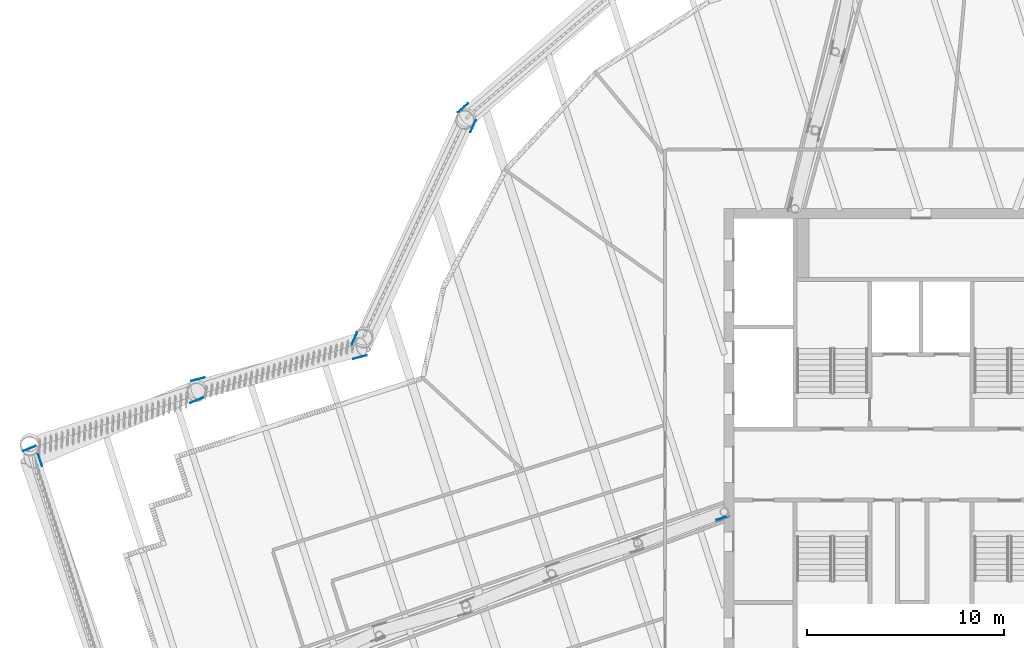
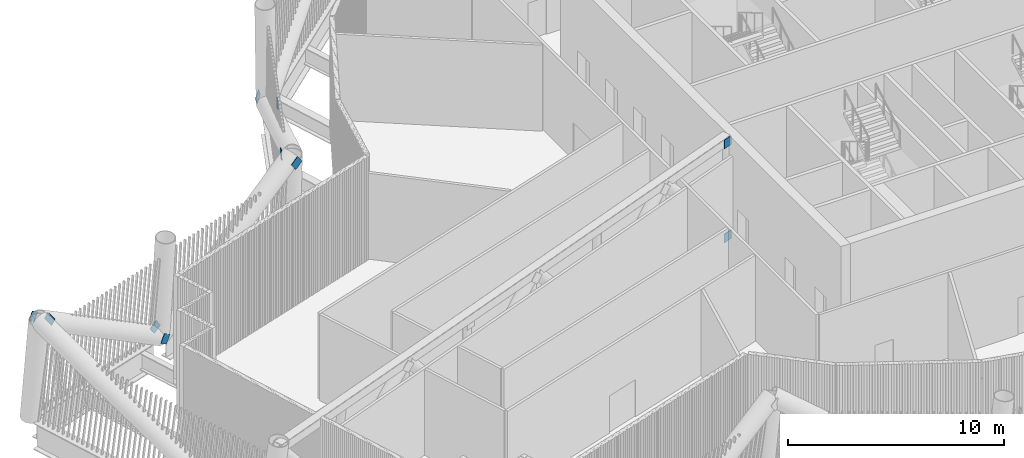
# One storey, part 21 of 40: 10 discrete accessories.
"""IFC4 building model written with IfcOpenShell, lengths in metres."""

from ifc_helpers import new_model, si_unit, direction, frame, origin, origin_2d, place, context, subcontext, project, spatial, rectangle, extrude, material, material_profile, profile_set, type_object, element, save


model = new_model("IFC4")

# Units and contexts
model_context = context("Model", 3, precision=1e-05, world=origin(), true_north=direction((0.0, 1.0)))
body_context = subcontext(model_context, "Body", "Model", "MODEL_VIEW")
ifc_project = project(units=[si_unit("LENGTHUNIT", "METRE"), si_unit("AREAUNIT", "SQUARE_METRE"), si_unit("VOLUMEUNIT", "CUBIC_METRE"), si_unit("PLANEANGLEUNIT", "RADIAN"), si_unit("MASSUNIT", "GRAM", prefix="KILO")], contexts=[model_context])

# Site, building, storey
site_placement = place(None, origin())
site = spatial("IfcSite", under=ifc_project, at=site_placement, CompositionType="ELEMENT")
building_placement = place(site_placement, origin())
building = spatial("IfcBuilding", under=site, at=building_placement, Name="Tarsis Ring Headquarters", CompositionType="ELEMENT")
storey_placement = place(building_placement, frame((0.0, 0.0, 354.800048828125)))
storey = spatial("IfcBuildingStorey", under=building, at=storey_placement, Name="L84", CompositionType="ELEMENT", Elevation=354.800048828125)

# Discrete accessories
ifc_material = material(Name="Structural steel S355", Category="steel")
ifc_material_profile = material_profile(ifc_material, rectangle(XDim=0.02490234375, YDim=0.5, at=origin_2d()), Name="PL 25x500")
ifc_profile_set = profile_set([ifc_material_profile], Name="Structural steel S355")
discrete_accessory_type_1 = type_object("IfcDiscreteAccessoryType", Name="Gusset plate Belt truss 25", PredefinedType="BRACKET", material=ifc_profile_set)
discrete_accessory_1_placement = place(storey_placement, frame((-23.434814453125, 17.973388671875, 0.0), z_axis=(0.671374793773, 0.584950547593, 0.455070042034), x_axis=(-0.656911492965, 0.75396769852, 0.0)))
element("IfcDiscreteAccessory", 1, at=discrete_accessory_1_placement, inside=storey, type_object=discrete_accessory_type_1, Name="Gusset plate GP4", PredefinedType="BRACKET", context=body_context, shape_type="SweptSolid", body=[
    extrude(rectangle(XDim=0.02490234375, YDim=0.5, at=origin_2d()), origin(), (0.0, 0.0, 1.0), 0.5),
])
discrete_accessory_2_placement = place(storey_placement, frame((-22.659423828125, 17.39404296875, 0.0), z_axis=(-0.376822114103, -0.822956067846, 0.425145157233), x_axis=(0.909217955832, -0.416320440037, 0.0)))
element("IfcDiscreteAccessory", 2, at=discrete_accessory_2_placement, inside=storey, type_object=discrete_accessory_type_1, Name="Gusset plate GP4", PredefinedType="BRACKET", context=body_context, shape_type="SweptSolid", body=[
    extrude(rectangle(XDim=0.02490234375, YDim=0.5, at=origin_2d()), origin(), (0.0, 0.0, 1.0), 0.500244140625),
])
for number, where, z_axis, x_axis, name in (
    (3, (-28.873291015625, 6.200927734375, 6.0), (0.376403196377, 0.823107378848, -0.425223325609), (-0.909422021992, 0.415874483367, 0.0), "Gusset plate GP4"),
    (4, (-36.916748046875, 4.28515625, 0.0), (0.79497447317, 0.208021575903, 0.569861922721), (-0.253147538904, 0.967427683885, 0.0), "Gusset plate GP4"),
    (5, (-28.2978515625, 5.515869140625, 6.0), (-0.79497447317, -0.208021575903, -0.569861922721), (0.253147538904, -0.967427683885, 0.0), "Gusset plate GP4"),
    (6, (-36.6015625, 3.348876953125, 0.0), (-0.773766130089, -0.320734604081, 0.546274006038), (0.382917981208, -0.923782344315, 0.0), "Gusset plate GP4"),
    (7, (-45.4755859375, 0.738037109375, 6.0), (0.773570119046, 0.320855788014, -0.546480406069), (-0.383124248131, 0.923696817411, 0.0), "Gusset plate GP4"),
    (8, (-44.81689453125, 0.439697265625, 6.0), (0.295394451329, -0.870559184661, -0.393533764911), (0.946970043037, 0.321321859808, 0.0), "Gusset plate GP4"),
):
    element("IfcDiscreteAccessory", number, at=place(storey_placement, frame(where, z_axis=z_axis, x_axis=x_axis)), inside=storey, type_object=discrete_accessory_type_1, Name=name, PredefinedType="BRACKET", context=body_context, shape_type="SweptSolid", body=[
        extrude(rectangle(XDim=0.02490234375, YDim=0.5, at=origin_2d()), origin(), (0.0, 0.0, 1.0), 0.5),
    ])
discrete_accessory_type_2 = type_object("IfcDiscreteAccessoryType", Name="Gusset plate Outrigger chord 25", PredefinedType="BRACKET", material=ifc_profile_set)
discrete_accessory_3_placement = place(storey_placement, frame((-9.9130859375, -2.65185546875, 0.25390625), z_axis=(-0.945107953441, -0.32675825367, 0.0), x_axis=(0.32675825367, -0.945107953441, 0.0)))
element("IfcDiscreteAccessory", 9, at=discrete_accessory_3_placement, inside=storey, type_object=discrete_accessory_type_2, Name="Gusset plate GP3", PredefinedType="BRACKET", context=body_context, shape_type="SweptSolid", body=[
    extrude(rectangle(XDim=0.02490234375, YDim=0.5, at=origin_2d()), origin(), (0.0, 0.0, 1.0), 0.499755859375),
])
discrete_accessory_4_placement = place(storey_placement, frame((-9.90771484375, -2.64990234375, 5.5859375), z_axis=(-0.937984144051, -0.346678158395, 0.0), x_axis=(0.346678158395, -0.937984144051, 0.0)))
element("IfcDiscreteAccessory", 10, at=discrete_accessory_4_placement, inside=storey, type_object=discrete_accessory_type_2, Name="Gusset plate GP3", PredefinedType="BRACKET", context=body_context, shape_type="SweptSolid", body=[
    extrude(rectangle(XDim=0.02490234375, YDim=0.5, at=origin_2d()), origin(), (0.0, 0.0, 1.0), 0.5),
])

save(model, "model.ifc")
